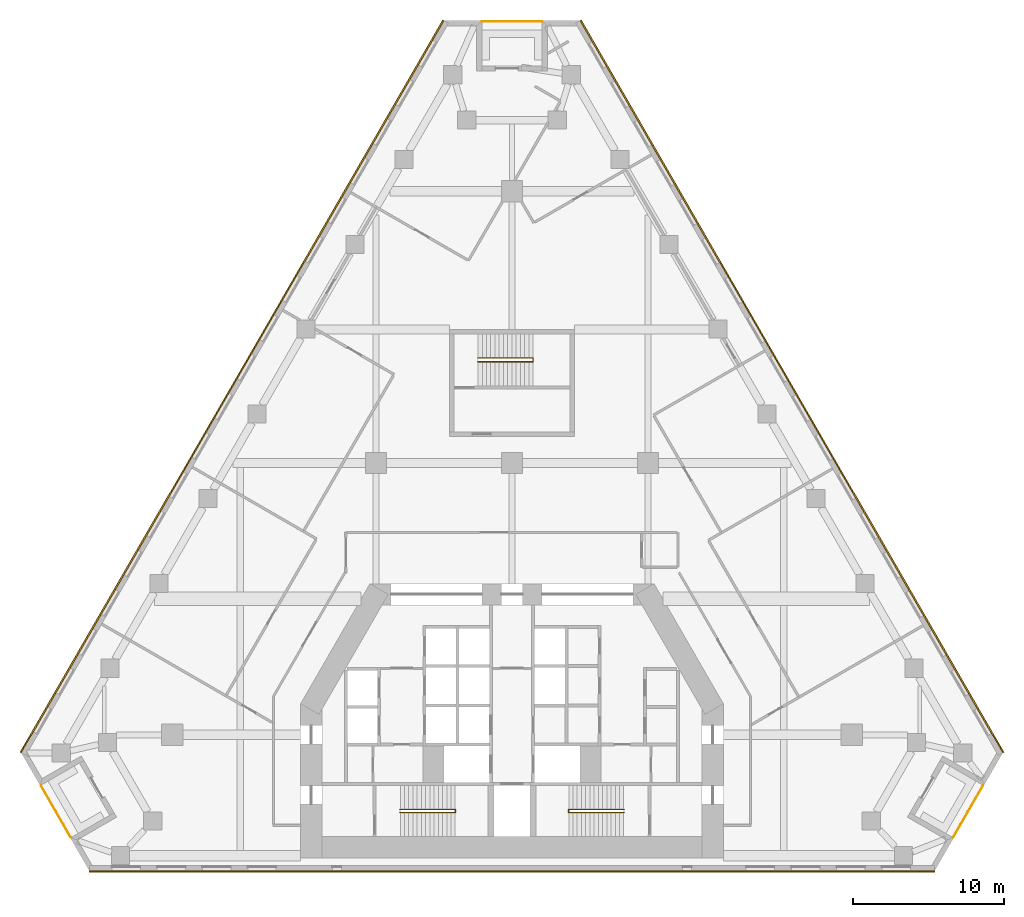
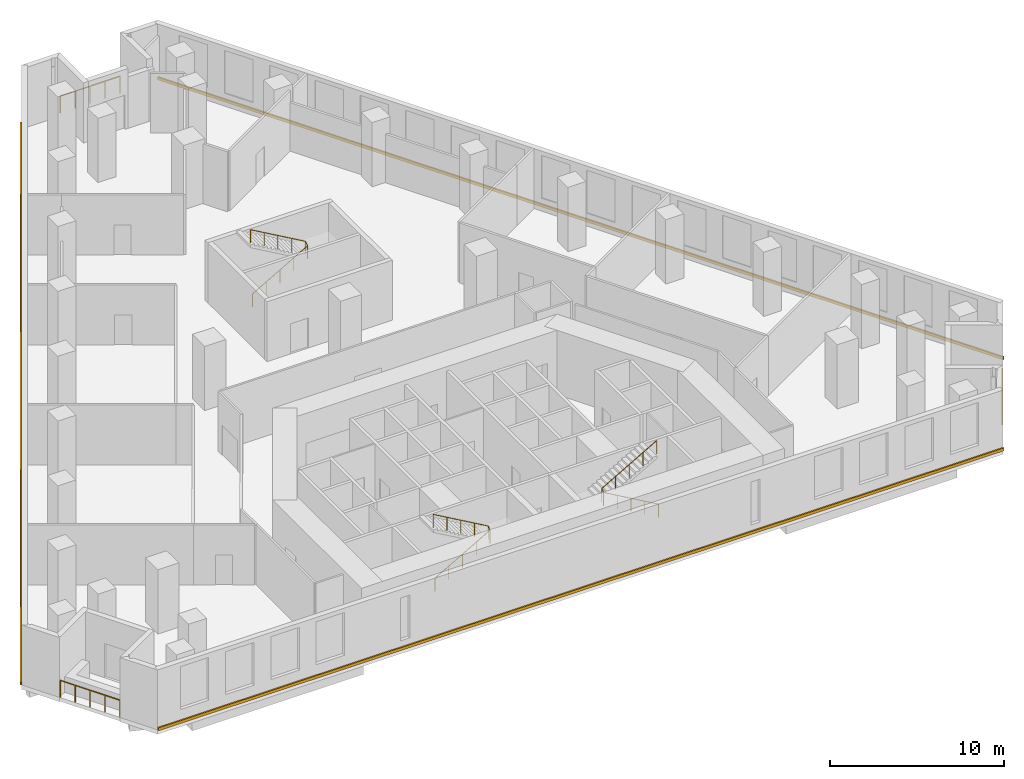
# One storey, part 14 of 14: 6 railings, 3 coverings.
"""IFC4 building model written with IfcOpenShell, lengths in metres."""

from ifc_helpers import new_model, si_unit, direction, frame, origin, origin_2d, place, context, subcontext, project, spatial, polyline, circle, outline, extrude, material, type_object, element, save


model = new_model("IFC4")

# Units and contexts
model_context = context("Model", 3, precision=1e-05, world=origin(), true_north=direction((0.0, 1.0)))
body_context = subcontext(model_context, "Body", "Model", "MODEL_VIEW")
ifc_project = project(units=[si_unit("LENGTHUNIT", "METRE"), si_unit("AREAUNIT", "SQUARE_METRE"), si_unit("VOLUMEUNIT", "CUBIC_METRE"), si_unit("PLANEANGLEUNIT", "RADIAN"), si_unit("MASSUNIT", "GRAM", prefix="KILO")], contexts=[model_context])

# Site, building, storey
site_placement = place(None, origin())
site = spatial("IfcSite", under=ifc_project, at=site_placement, CompositionType="ELEMENT")
building_placement = place(site_placement, origin())
building = spatial("IfcBuilding", under=site, at=building_placement, Name="Fogline Exchange Tower", CompositionType="ELEMENT")
storey_placement = place(building_placement, frame((0.0, 0.0, 29.5)))
storey = spatial("IfcBuildingStorey", under=building, at=storey_placement, Name="L05", CompositionType="ELEMENT", Elevation=29.5)

# Railings
ifc_material_1 = material(Name="Stainless steel 304", Category="steel")
railing_type_1 = type_object("IfcRailingType", Name="G1", PredefinedType="GUARDRAIL", material=ifc_material_1)
railing_1_placement = place(storey_placement, frame((-31.1962890625, 5.635986328125, 0.0)))
element("IfcRailing", 1, at=railing_1_placement, inside=storey, type_object=railing_type_1, Name="Balcony guard L05 SW", PredefinedType="GUARDRAIL", context=body_context, shape_type="SweptSolid", body=[
    extrude(circle(Radius=0.02392578125, at=origin_2d()), frame((0.0, 0.0, 1.17578125), z_axis=(0.500000102728, -0.866025344474, 0.0), x_axis=(0.866025344474, 0.500000102728, 0.0)), (0.0, 0.0, 1.0), 3.9580078125),
    extrude(circle(Radius=0.02099609375, at=origin_2d()), origin(), (0.0, 0.0, 1.0), 1.15185546875),
    extrude(circle(Radius=0.02099609375, at=origin_2d()), frame((0.49462890625, -0.85693359375, 0.0)), (0.0, 0.0, 1.0), 1.15185546875),
    extrude(circle(Radius=0.02099609375, at=origin_2d()), frame((0.989501953125, -1.7138671875, 0.0)), (0.0, 0.0, 1.0), 1.15185546875),
    extrude(circle(Radius=0.02099609375, at=origin_2d()), frame((1.484375, -2.57080078125, 0.0)), (0.0, 0.0, 1.0), 1.15185546875),
    extrude(circle(Radius=0.02099609375, at=origin_2d()), frame((1.97900390625, -3.427734375, 0.0)), (0.0, 0.0, 1.0), 1.15185546875),
])
railing_2_placement = place(storey_placement, frame((29.21728515625, 2.208251953125, 0.0)))
element("IfcRailing", 2, at=railing_2_placement, inside=storey, type_object=railing_type_1, Name="Balcony guard L05 SE", PredefinedType="GUARDRAIL", context=body_context, shape_type="SweptSolid", body=[
    extrude(circle(Radius=0.02392578125, at=origin_2d()), frame((0.0, 0.0, 1.17578125), z_axis=(0.500000102728, 0.866025344474, 0.0), x_axis=(-0.866025344474, 0.500000102728, 0.0)), (0.0, 0.0, 1.0), 3.9580078125),
    extrude(circle(Radius=0.02099609375, at=origin_2d()), origin(), (0.0, 0.0, 1.0), 1.15185546875),
    extrude(circle(Radius=0.02099609375, at=origin_2d()), frame((0.49462890625, 0.85693359375, 0.0)), (0.0, 0.0, 1.0), 1.15185546875),
    extrude(circle(Radius=0.02099609375, at=origin_2d()), frame((0.989501953125, 1.7138671875, 0.0)), (0.0, 0.0, 1.0), 1.15185546875),
    extrude(circle(Radius=0.02099609375, at=origin_2d()), frame((1.484375, 2.57080078125, 0.0)), (0.0, 0.0, 1.0), 1.15185546875),
    extrude(circle(Radius=0.02099609375, at=origin_2d()), frame((1.97900390625, 3.427734375, 0.0)), (0.0, 0.0, 1.0), 1.15185546875),
])
railing_3_placement = place(storey_placement, frame((1.97900390625, 56.24169921875, 0.0)))
element("IfcRailing", 3, at=railing_3_placement, inside=storey, type_object=railing_type_1, Name="Balcony guard L05 N", PredefinedType="GUARDRAIL", context=body_context, shape_type="SweptSolid", body=[
    extrude(circle(Radius=0.02392578125, at=origin_2d()), frame((0.0, 0.0, 1.17578125), z_axis=(-1.0, 0.0, 0.0), x_axis=(0.0, -1.0, 0.0)), (0.0, 0.0, 1.0), 3.9580078125),
    extrude(circle(Radius=0.02099609375, at=origin_2d()), origin(), (0.0, 0.0, 1.0), 1.15185546875),
    extrude(circle(Radius=0.02099609375, at=origin_2d()), frame((-0.989501953125, 0.0, 0.0)), (0.0, 0.0, 1.0), 1.15185546875),
    extrude(circle(Radius=0.02099609375, at=origin_2d()), frame((-1.97900390625, 0.0, 0.0)), (0.0, 0.0, 1.0), 1.15185546875),
    extrude(circle(Radius=0.02099609375, at=origin_2d()), frame((-2.968505859375, 0.0, 0.0)), (0.0, 0.0, 1.0), 1.15185546875),
    extrude(circle(Radius=0.02099609375, at=origin_2d()), frame((-3.9580078125, 0.0, 0.0)), (0.0, 0.0, 1.0), 1.15185546875),
])
ifc_material_2 = material(Name="Steel Q235B", Category="steel")
railing_type_2 = type_object("IfcRailingType", Name="RL-HR", PredefinedType="HANDRAIL", material=ifc_material_2)
railing_4_placement = place(storey_placement, frame((-7.39990234375, 3.85009765625, 0.16064453125)))
element("IfcRailing", 4, at=railing_4_placement, inside=storey, type_object=railing_type_2, Name="Handrail ST1", PredefinedType="HANDRAIL", context=body_context, shape_type="SweptSolid", body=[
    extrude(circle(Radius=0.02392578125, at=origin_2d()), frame((0.0, 0.0, 0.92578125), z_axis=(0.8672749571, 0.0, 0.497829437445), x_axis=(0.0, 1.0, 0.0)), (0.0, 0.0, 1.0), 4.197021484375),
    extrude(circle(Radius=0.02392578125, at=origin_2d()), frame((3.639892578125, 0.0, 3.01513671875), z_axis=(0.0, 0.779567027444, 0.626318808374), x_axis=(-1.0, 0.0, 0.0)), (0.0, 0.0, 1.0), 0.256591796875),
    extrude(circle(Radius=0.02392578125, at=origin_2d()), frame((3.639892578125, 0.199951171875, 3.17578125), z_axis=(-0.8672749571, 0.0, 0.497829437445), x_axis=(0.0, -1.0, 0.0)), (0.0, 0.0, 1.0), 4.197021484375),
    extrude(circle(Radius=0.02099609375, at=origin_2d()), origin(), (0.0, 0.0, 1.0), 0.90185546875),
    extrude(circle(Radius=0.02099609375, at=origin_2d()), frame((0.909912109375, 0.0, 0.5224609375)), (0.0, 0.0, 1.0), 0.90185546875),
    extrude(circle(Radius=0.02099609375, at=origin_2d()), frame((1.81982421875, 0.0, 1.044677734375)), (0.0, 0.0, 1.0), 0.90185546875),
    extrude(circle(Radius=0.02099609375, at=origin_2d()), frame((2.72998046875, 0.0, 1.56689453125)), (0.0, 0.0, 1.0), 0.90185546875),
    extrude(circle(Radius=0.02099609375, at=origin_2d()), frame((3.639892578125, 0.0, 2.08935546875)), (0.0, 0.0, 1.0), 0.90185546875),
    extrude(circle(Radius=0.02099609375, at=origin_2d()), frame((3.639892578125, 0.199951171875, 2.25)), (0.0, 0.0, 1.0), 0.90185546875),
    extrude(circle(Radius=0.02099609375, at=origin_2d()), frame((2.72998046875, 0.199951171875, 2.7724609375)), (0.0, 0.0, 1.0), 0.90185546875),
    extrude(circle(Radius=0.02099609375, at=origin_2d()), frame((1.81982421875, 0.199951171875, 3.294677734375)), (0.0, 0.0, 1.0), 0.90185546875),
    extrude(circle(Radius=0.02099609375, at=origin_2d()), frame((0.909912109375, 0.199951171875, 3.81689453125)), (0.0, 0.0, 1.0), 0.90185546875),
    extrude(circle(Radius=0.02099609375, at=origin_2d()), frame((0.0, 0.199951171875, 4.33935546875)), (0.0, 0.0, 1.0), 0.90185546875),
])
railing_5_placement = place(storey_placement, frame((7.39990234375, 3.85009765625, 0.16064453125)))
element("IfcRailing", 5, at=railing_5_placement, inside=storey, type_object=railing_type_2, Name="Handrail ST2", PredefinedType="HANDRAIL", context=body_context, shape_type="SweptSolid", body=[
    extrude(circle(Radius=0.02392578125, at=origin_2d()), frame((0.0, 0.0, 0.92578125), z_axis=(-0.8672749571, 0.0, 0.497829437445), x_axis=(0.0, -1.0, 0.0)), (0.0, 0.0, 1.0), 4.197021484375),
    extrude(circle(Radius=0.02392578125, at=origin_2d()), frame((-3.639892578125, 0.0, 3.01513671875), z_axis=(0.0, 0.779567027444, 0.626318808374), x_axis=(-1.0, 0.0, 0.0)), (0.0, 0.0, 1.0), 0.256591796875),
    extrude(circle(Radius=0.02392578125, at=origin_2d()), frame((-3.639892578125, 0.199951171875, 3.17578125), z_axis=(0.8672749571, 0.0, 0.497829437445), x_axis=(0.0, 1.0, 0.0)), (0.0, 0.0, 1.0), 4.197021484375),
    extrude(circle(Radius=0.02099609375, at=origin_2d()), origin(), (0.0, 0.0, 1.0), 0.90185546875),
    extrude(circle(Radius=0.02099609375, at=origin_2d()), frame((-0.909912109375, 0.0, 0.5224609375)), (0.0, 0.0, 1.0), 0.90185546875),
    extrude(circle(Radius=0.02099609375, at=origin_2d()), frame((-1.81982421875, 0.0, 1.044677734375)), (0.0, 0.0, 1.0), 0.90185546875),
    extrude(circle(Radius=0.02099609375, at=origin_2d()), frame((-2.72998046875, 0.0, 1.56689453125)), (0.0, 0.0, 1.0), 0.90185546875),
    extrude(circle(Radius=0.02099609375, at=origin_2d()), frame((-3.639892578125, 0.0, 2.08935546875)), (0.0, 0.0, 1.0), 0.90185546875),
    extrude(circle(Radius=0.02099609375, at=origin_2d()), frame((-3.639892578125, 0.199951171875, 2.25)), (0.0, 0.0, 1.0), 0.90185546875),
    extrude(circle(Radius=0.02099609375, at=origin_2d()), frame((-2.72998046875, 0.199951171875, 2.7724609375)), (0.0, 0.0, 1.0), 0.90185546875),
    extrude(circle(Radius=0.02099609375, at=origin_2d()), frame((-1.81982421875, 0.199951171875, 3.294677734375)), (0.0, 0.0, 1.0), 0.90185546875),
    extrude(circle(Radius=0.02099609375, at=origin_2d()), frame((-0.909912109375, 0.199951171875, 3.81689453125)), (0.0, 0.0, 1.0), 0.90185546875),
    extrude(circle(Radius=0.02099609375, at=origin_2d()), frame((0.0, 0.199951171875, 4.33935546875)), (0.0, 0.0, 1.0), 0.90185546875),
])
railing_6_placement = place(storey_placement, frame((-2.25, 33.70703125, 0.16064453125)))
element("IfcRailing", 6, at=railing_6_placement, inside=storey, type_object=railing_type_2, Name="Handrail ST3", PredefinedType="HANDRAIL", context=body_context, shape_type="SweptSolid", body=[
    extrude(circle(Radius=0.02392578125, at=origin_2d()), frame((0.0, 0.0, 0.92578125), z_axis=(0.8672749571, 0.0, 0.497829437445), x_axis=(0.0, 1.0, 0.0)), (0.0, 0.0, 1.0), 4.197021484375),
    extrude(circle(Radius=0.02392578125, at=origin_2d()), frame((3.639892578125, 0.0, 3.01513671875), z_axis=(0.0, 0.841285233109, 0.540591487681), x_axis=(-1.0, 0.0, 0.0)), (0.0, 0.0, 1.0), 0.297119140625),
    extrude(circle(Radius=0.02392578125, at=origin_2d()), frame((3.639892578125, 0.25, 3.17578125), z_axis=(-0.8672749571, 0.0, 0.497829437445), x_axis=(0.0, -1.0, 0.0)), (0.0, 0.0, 1.0), 4.197021484375),
    extrude(circle(Radius=0.02099609375, at=origin_2d()), origin(), (0.0, 0.0, 1.0), 0.90185546875),
    extrude(circle(Radius=0.02099609375, at=origin_2d()), frame((0.909912109375, 0.0, 0.5224609375)), (0.0, 0.0, 1.0), 0.90185546875),
    extrude(circle(Radius=0.02099609375, at=origin_2d()), frame((1.81982421875, 0.0, 1.044677734375)), (0.0, 0.0, 1.0), 0.90185546875),
    extrude(circle(Radius=0.02099609375, at=origin_2d()), frame((2.72998046875, 0.0, 1.56689453125)), (0.0, 0.0, 1.0), 0.90185546875),
    extrude(circle(Radius=0.02099609375, at=origin_2d()), frame((3.639892578125, 0.0, 2.08935546875)), (0.0, 0.0, 1.0), 0.90185546875),
    extrude(circle(Radius=0.02099609375, at=origin_2d()), frame((3.639892578125, 0.25, 2.25)), (0.0, 0.0, 1.0), 0.90185546875),
    extrude(circle(Radius=0.02099609375, at=origin_2d()), frame((2.72998046875, 0.25, 2.7724609375)), (0.0, 0.0, 1.0), 0.90185546875),
    extrude(circle(Radius=0.02099609375, at=origin_2d()), frame((1.81982421875, 0.25, 3.294677734375)), (0.0, 0.0, 1.0), 0.90185546875),
    extrude(circle(Radius=0.02099609375, at=origin_2d()), frame((0.909912109375, 0.25, 3.81689453125)), (0.0, 0.0, 1.0), 0.90185546875),
    extrude(circle(Radius=0.02099609375, at=origin_2d()), frame((0.0, 0.25, 4.33935546875)), (0.0, 0.0, 1.0), 0.90185546875),
])

# Coverings
ifc_material_3 = material(Name="Brick masonry", Category="masonry")
covering_type = type_object("IfcCoveringType", Name="SB1", PredefinedType="CLADDING", material=ifc_material_3)
covering_1_placement = place(storey_placement, origin())
element("IfcCovering", 7, at=covering_1_placement, inside=storey, type_object=covering_type, Name="Stringcourse band L05 S", PredefinedType="CLADDING", context=body_context, shape_type="SweptSolid", body=[
    extrude(outline(polyline([(-28.0, 0.0), (-28.0, -0.10009765625), (28.0, -0.10009765625), (28.0, 0.0), (-28.0, 0.0)])), origin(), (0.0, 0.0, 1.0), 0.199951171875),
])
covering_2_placement = place(storey_placement, origin())
element("IfcCovering", 8, at=covering_2_placement, inside=storey, type_object=covering_type, Name="Stringcourse band L05 E", PredefinedType="CLADDING", context=body_context, shape_type="SweptSolid", body=[
    extrude(outline(polyline([(32.5, 7.794189453125), (32.586669921875, 7.84423828125), (4.586669921875, 56.341796875), (4.5, 56.291748046875), (32.5, 7.794189453125)])), origin(), (0.0, 0.0, 1.0), 0.199951171875),
])
covering_3_placement = place(storey_placement, origin())
element("IfcCovering", 9, at=covering_3_placement, inside=storey, type_object=covering_type, Name="Stringcourse band L05 W", PredefinedType="CLADDING", context=body_context, shape_type="SweptSolid", body=[
    extrude(outline(polyline([(-4.5, 56.291748046875), (-4.586669921875, 56.341796875), (-32.586669921875, 7.84423828125), (-32.5, 7.794189453125), (-4.5, 56.291748046875)])), origin(), (0.0, 0.0, 1.0), 0.199951171875),
])

save(model, "model.ifc")
